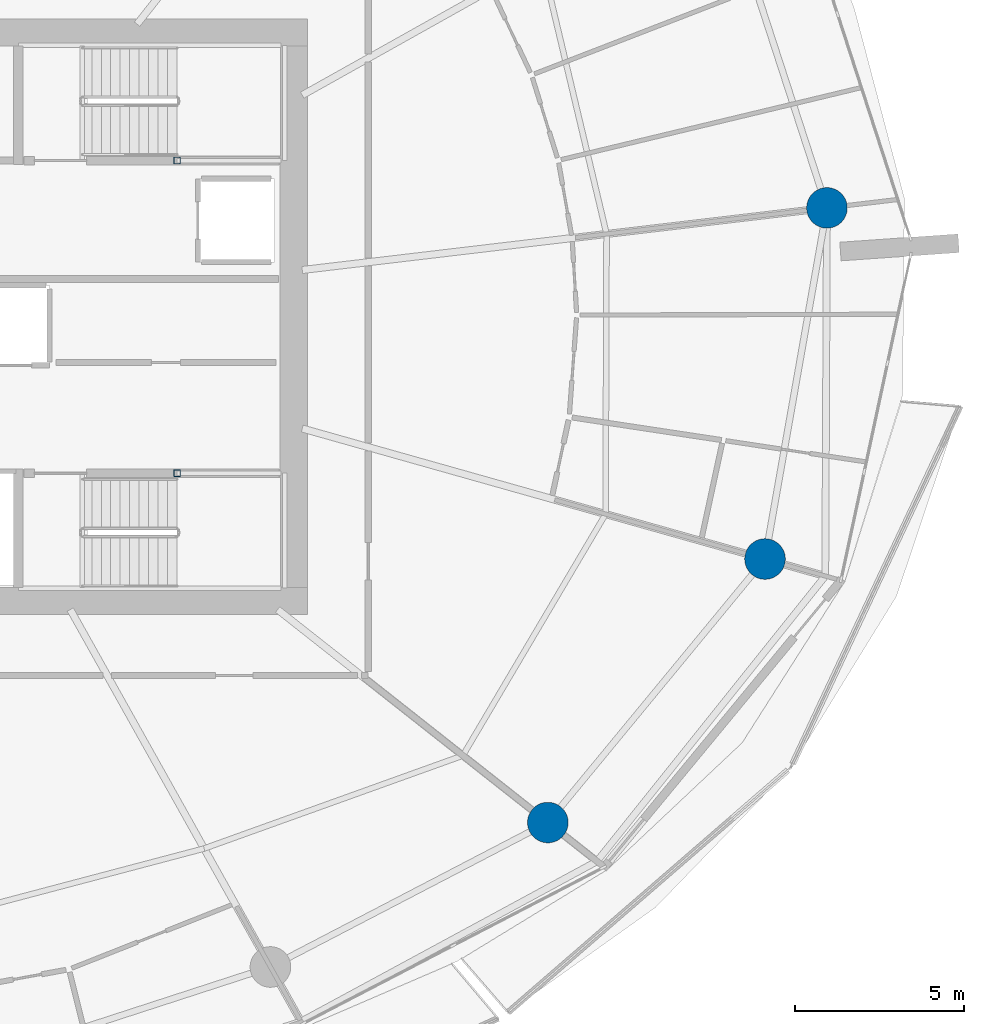
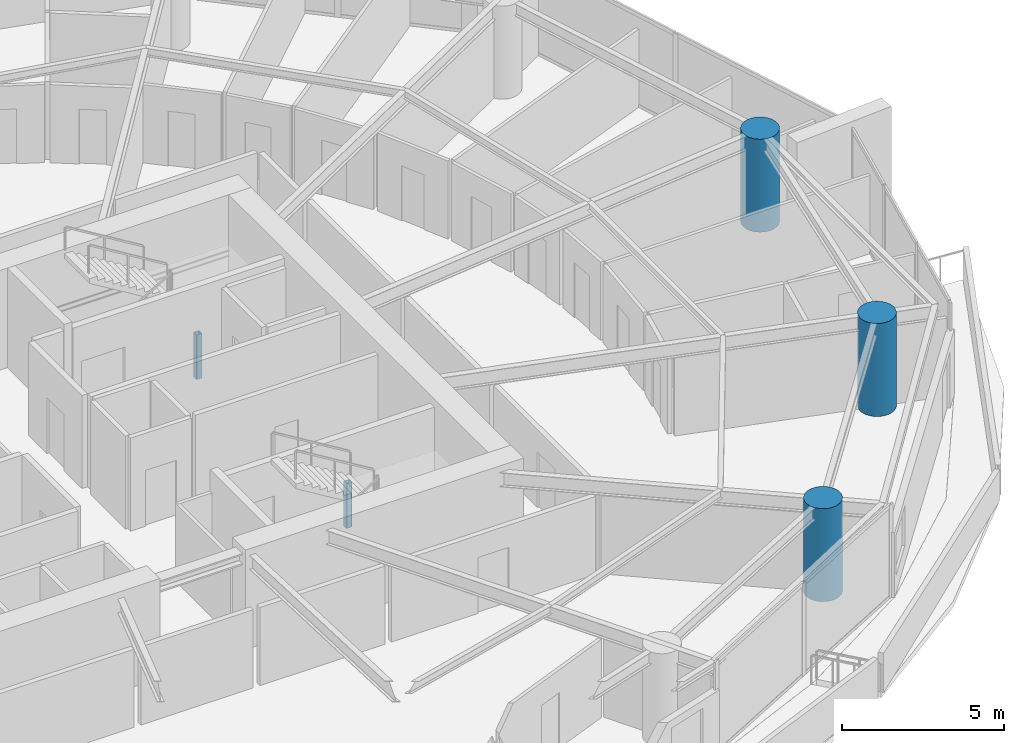
# One storey, part 3 of 23: 5 columns.
"""IFC4 building model written with IfcOpenShell, lengths in metres."""

from ifc_helpers import new_model, si_unit, direction, frame, origin, origin_2d, place, context, subcontext, project, spatial, hollow_rectangle, circle, extrude, material, material_profile, profile_set, type_object, element, save


model = new_model("IFC4")

# Units and contexts
model_context = context("Model", 3, precision=1e-05, world=origin(), true_north=direction((0.0, 1.0)))
body_context = subcontext(model_context, "Body", "Model", "MODEL_VIEW")
ifc_project = project(units=[si_unit("LENGTHUNIT", "METRE"), si_unit("AREAUNIT", "SQUARE_METRE"), si_unit("VOLUMEUNIT", "CUBIC_METRE"), si_unit("PLANEANGLEUNIT", "RADIAN"), si_unit("MASSUNIT", "GRAM", prefix="KILO")], contexts=[model_context])

# Site, building, storey
site_placement = place(None, origin())
site = spatial("IfcSite", under=ifc_project, at=site_placement, CompositionType="ELEMENT")
building_placement = place(site_placement, origin())
building = spatial("IfcBuilding", under=site, at=building_placement, Name="Kazma Halo Residences", CompositionType="ELEMENT")
storey_placement = place(building_placement, frame((0.0, 0.0, 105.14990234375)))
storey = spatial("IfcBuildingStorey", under=building, at=storey_placement, Name="L26", CompositionType="ELEMENT", Elevation=105.14990234375)

# Columns
ifc_material_1 = material(Name="Steel S355", Category="steel")
ifc_material_profile_1 = material_profile(ifc_material_1, hollow_rectangle(XDim=0.199951171875, YDim=0.199951171875, WallThickness=0.010009765625, InnerFilletRadius=0.010009765625, OuterFilletRadius=0.02001953125, at=origin_2d()), Name="SHS200x200x10")
ifc_profile_set_1 = profile_set([ifc_material_profile_1], Name="Steel S355")
column_type_1 = type_object("IfcColumnType", Name="COL-LP-SHS200", PredefinedType="COLUMN", material=ifc_profile_set_1)
for number, where, z_axis, x_axis, name in (
    (1, (56.0, 46.6201171875, 0.0), (0.0, 0.0, 1.0), (1.0, 0.0, 0.0), "L26 ST-02 landing pilaster 1"),
    (2, (56.0, 37.3798828125, 0.0), (0.0, 0.0, 1.0), (1.0, 0.0, 0.0), "L26 ST-03 landing pilaster 1"),
):
    element("IfcColumn", number, at=place(storey_placement, frame(where, z_axis=z_axis, x_axis=x_axis)), inside=storey, type_object=column_type_1, Name=name, PredefinedType="COLUMN", context=body_context, shape_type="SweptSolid", body=[
        extrude(hollow_rectangle(XDim=0.199951171875, YDim=0.199951171875, WallThickness=0.010009765625, InnerFilletRadius=0.010009765625, OuterFilletRadius=0.02001953125, at=origin_2d()), origin(), (0.0, 0.0, 1.0), 1.670166015625),
    ])
ifc_material_2 = material(Name="Concrete C80/95", Category="concrete")
ifc_material_profile_2 = material_profile(ifc_material_2, circle(Radius=0.60009765625, at=origin_2d()), Name="CIRC1200")
ifc_profile_set_2 = profile_set([ifc_material_profile_2], Name="Concrete C80/95")
column_type_2 = type_object("IfcColumnType", Name="COL-PERIM-1200", PredefinedType="COLUMN", material=ifc_profile_set_2)
for number, where, z_axis, x_axis, name in (
    (3, (66.9580078125, 27.0546875, 0.0), (0.0, 0.0, 1.0), (1.0, 0.0, 0.0), "L26 perimeter ring column P14"),
    (4, (73.376708984375, 34.843017578125, 0.0), (0.0, 0.0, 1.0), (1.0, 0.0, 0.0), "L26 perimeter ring column P15"),
    (5, (75.20654296875, 45.22021484375, 0.0), (0.0, 0.0, 1.0), (1.0, 0.0, 0.0), "L26 perimeter ring column P16"),
):
    element("IfcColumn", number, at=place(storey_placement, frame(where, z_axis=z_axis, x_axis=x_axis)), inside=storey, type_object=column_type_2, Name=name, PredefinedType="COLUMN", context=body_context, shape_type="SweptSolid", body=[
        extrude(circle(Radius=0.60009765625, at=origin_2d()), origin(), (0.0, 0.0, 1.0), 3.5),
    ])

save(model, "model.ifc")
